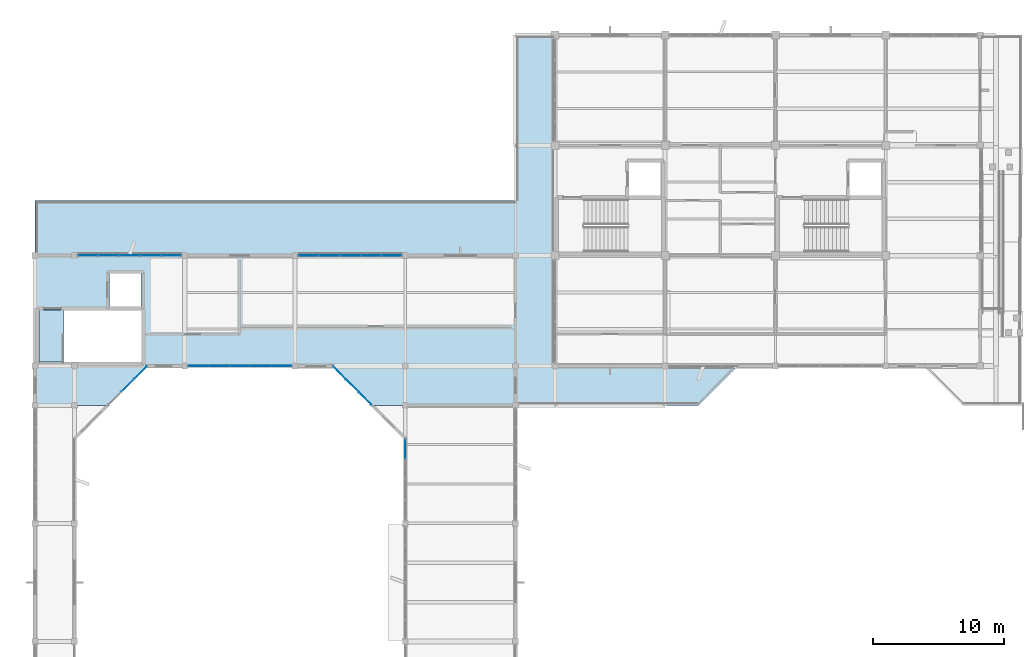
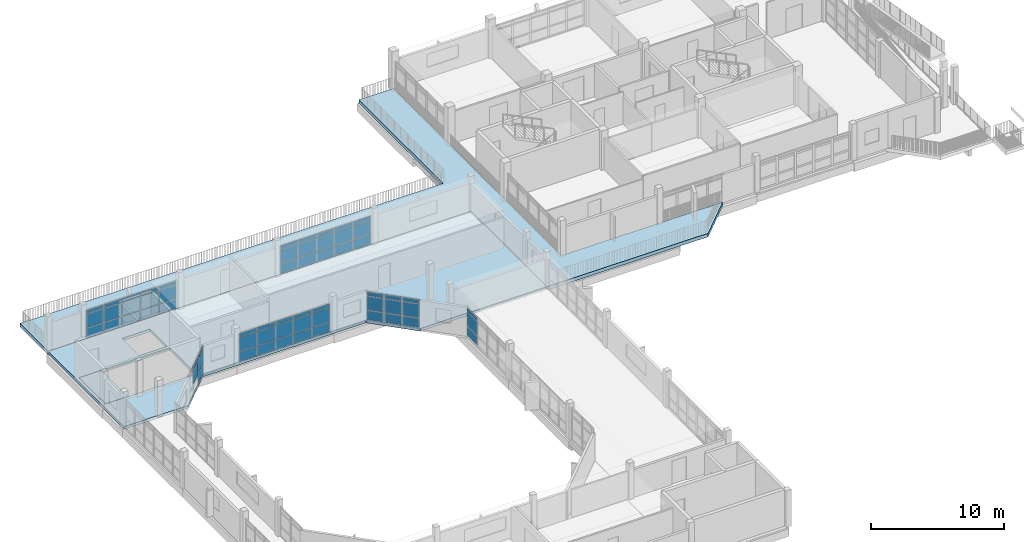
# One storey, part 17 of 33: 62 plates, 3 slabs, 6 elements without a shape of their own.
"""IFC4 building model written with IfcOpenShell, lengths in metres."""

from ifc_helpers import new_model, si_unit, direction, frame, origin, origin_2d, place, context, subcontext, project, spatial, polyline, rectangle, outline, extrude, material, layer, layer_set, type_object, element, aggregate, save


model = new_model("IFC4")

# Units and contexts
model_context = context("Model", 3, precision=1e-05, world=origin(), true_north=direction((0.0, 1.0)))
body_context = subcontext(model_context, "Body", "Model", "MODEL_VIEW")
ifc_project = project(units=[si_unit("LENGTHUNIT", "METRE"), si_unit("AREAUNIT", "SQUARE_METRE"), si_unit("VOLUMEUNIT", "CUBIC_METRE"), si_unit("PLANEANGLEUNIT", "RADIAN"), si_unit("MASSUNIT", "GRAM", prefix="KILO")], contexts=[model_context])

# Site, building, storey
site_placement = place(None, origin())
site = spatial("IfcSite", under=ifc_project, at=site_placement, CompositionType="ELEMENT")
building_placement = place(site_placement, origin())
building = spatial("IfcBuilding", under=site, at=building_placement, Name="Vanh Quang Courtyard School", CompositionType="ELEMENT")
storey_placement = place(building_placement, frame((0.0, 0.0, 18.60009765625)))
storey = spatial("IfcBuildingStorey", under=building, at=storey_placement, Name="L05", CompositionType="ELEMENT", Elevation=18.60009765625)

# Curtain wall, plates
ifc_material_1 = material(Name="Thermally broken aluminium unitised curtain wall", Category="aluminium")
curtain_wall_type_1 = type_object("IfcCurtainWallType", Name="CW-SYS-19", PredefinedType="NOTDEFINED", material=ifc_material_1)
curtain_wall_1_placement = place(storey_placement, origin())
curtain_wall_1 = element("IfcCurtainWall", 1, at=curtain_wall_1_placement, inside=storey, type_object=curtain_wall_type_1, Name="Curtain Wall CW-19 (L05)", PredefinedType="NOTDEFINED")
ifc_material_2 = material(Name="Low-E laminated double glazing", Category="glass")
ifc_layer_1 = layer(ifc_material_2, 0.028076171875)
ifc_layer_set_1 = layer_set([ifc_layer_1], Name="Low-E laminated double glazing")
plate_type_1 = type_object("IfcPlateType", Name="CW-PNL-28", PredefinedType="CURTAIN_PANEL", material=ifc_layer_set_1)
plate_1_placement = place(storey_placement, frame((41.846435546875, 79.800048828125, 0.079833984375), z_axis=(0.0, 0.0, 1.0), x_axis=(1.0, 0.0, 0.0)))
plate_1 = element("IfcPlate", 2, at=plate_1_placement, type_object=plate_type_1, Name="CW-19 panel 1.1", PredefinedType="CURTAIN_PANEL", context=body_context, shape_type="SweptSolid", body=[
    extrude(rectangle(XDim=1.466796875, YDim=0.028076171875, at=origin_2d()), origin(), (0.0, 0.0, 1.0), 0.830078125),
])
plate_2_placement = place(storey_placement, frame((41.846435546875, 79.800048828125, 0.98974609375), z_axis=(0.0, 0.0, 1.0), x_axis=(1.0, 0.0, 0.0)))
plate_2 = element("IfcPlate", 3, at=plate_2_placement, type_object=plate_type_1, Name="CW-19 panel 1.2", PredefinedType="CURTAIN_PANEL", context=body_context, shape_type="SweptSolid", body=[
    extrude(rectangle(XDim=1.466796875, YDim=0.028076171875, at=origin_2d()), origin(), (0.0, 0.0, 1.0), 1.219970703125),
])
plate_3_placement = place(storey_placement, frame((41.846435546875, 79.800048828125, 2.2900390625), z_axis=(0.0, 0.0, 1.0), x_axis=(1.0, 0.0, 0.0)))
plate_3 = element("IfcPlate", 4, at=plate_3_placement, type_object=plate_type_1, Name="CW-19 panel 1.3", PredefinedType="CURTAIN_PANEL", context=body_context, shape_type="SweptSolid", body=[
    extrude(rectangle(XDim=1.466796875, YDim=0.028076171875, at=origin_2d()), origin(), (0.0, 0.0, 1.0), 0.280029296875),
])
plate_4_placement = place(storey_placement, frame((43.4130859375, 79.800048828125, 0.079833984375), z_axis=(0.0, 0.0, 1.0), x_axis=(1.0, 0.0, 0.0)))
plate_4 = element("IfcPlate", 5, at=plate_4_placement, type_object=plate_type_1, Name="CW-19 panel 2.1", PredefinedType="CURTAIN_PANEL", context=body_context, shape_type="SweptSolid", body=[
    extrude(rectangle(XDim=1.5068359375, YDim=0.028076171875, at=origin_2d()), origin(), (0.0, 0.0, 1.0), 0.830078125),
])
plate_5_placement = place(storey_placement, frame((43.4130859375, 79.800048828125, 0.98974609375), z_axis=(0.0, 0.0, 1.0), x_axis=(1.0, 0.0, 0.0)))
plate_5 = element("IfcPlate", 6, at=plate_5_placement, type_object=plate_type_1, Name="CW-19 panel 2.2", PredefinedType="CURTAIN_PANEL", context=body_context, shape_type="SweptSolid", body=[
    extrude(rectangle(XDim=1.5068359375, YDim=0.028076171875, at=origin_2d()), origin(), (0.0, 0.0, 1.0), 1.219970703125),
])
plate_6_placement = place(storey_placement, frame((43.4130859375, 79.800048828125, 2.2900390625), z_axis=(0.0, 0.0, 1.0), x_axis=(1.0, 0.0, 0.0)))
plate_6 = element("IfcPlate", 7, at=plate_6_placement, type_object=plate_type_1, Name="CW-19 panel 2.3", PredefinedType="CURTAIN_PANEL", context=body_context, shape_type="SweptSolid", body=[
    extrude(rectangle(XDim=1.5068359375, YDim=0.028076171875, at=origin_2d()), origin(), (0.0, 0.0, 1.0), 0.280029296875),
])
plate_7_placement = place(storey_placement, frame((45.0, 79.800048828125, 0.079833984375), z_axis=(0.0, 0.0, 1.0), x_axis=(1.0, 0.0, 0.0)))
plate_7 = element("IfcPlate", 8, at=plate_7_placement, type_object=plate_type_1, Name="CW-19 panel 3.1", PredefinedType="CURTAIN_PANEL", context=body_context, shape_type="SweptSolid", body=[
    extrude(rectangle(XDim=1.5068359375, YDim=0.028076171875, at=origin_2d()), origin(), (0.0, 0.0, 1.0), 0.830078125),
])
plate_8_placement = place(storey_placement, frame((45.0, 79.800048828125, 0.98974609375), z_axis=(0.0, 0.0, 1.0), x_axis=(1.0, 0.0, 0.0)))
plate_8 = element("IfcPlate", 9, at=plate_8_placement, type_object=plate_type_1, Name="CW-19 panel 3.2", PredefinedType="CURTAIN_PANEL", context=body_context, shape_type="SweptSolid", body=[
    extrude(rectangle(XDim=1.5068359375, YDim=0.028076171875, at=origin_2d()), origin(), (0.0, 0.0, 1.0), 1.219970703125),
])
plate_9_placement = place(storey_placement, frame((45.0, 79.800048828125, 2.2900390625), z_axis=(0.0, 0.0, 1.0), x_axis=(1.0, 0.0, 0.0)))
plate_9 = element("IfcPlate", 10, at=plate_9_placement, type_object=plate_type_1, Name="CW-19 panel 3.3", PredefinedType="CURTAIN_PANEL", context=body_context, shape_type="SweptSolid", body=[
    extrude(rectangle(XDim=1.5068359375, YDim=0.028076171875, at=origin_2d()), origin(), (0.0, 0.0, 1.0), 0.280029296875),
])
plate_10_placement = place(storey_placement, frame((46.5869140625, 79.800048828125, 0.079833984375), z_axis=(0.0, 0.0, 1.0), x_axis=(1.0, 0.0, 0.0)))
plate_10 = element("IfcPlate", 11, at=plate_10_placement, type_object=plate_type_1, Name="CW-19 panel 4.1", PredefinedType="CURTAIN_PANEL", context=body_context, shape_type="SweptSolid", body=[
    extrude(rectangle(XDim=1.5068359375, YDim=0.028076171875, at=origin_2d()), origin(), (0.0, 0.0, 1.0), 0.830078125),
])
plate_11_placement = place(storey_placement, frame((46.5869140625, 79.800048828125, 0.98974609375), z_axis=(0.0, 0.0, 1.0), x_axis=(1.0, 0.0, 0.0)))
plate_11 = element("IfcPlate", 12, at=plate_11_placement, type_object=plate_type_1, Name="CW-19 panel 4.2", PredefinedType="CURTAIN_PANEL", context=body_context, shape_type="SweptSolid", body=[
    extrude(rectangle(XDim=1.5068359375, YDim=0.028076171875, at=origin_2d()), origin(), (0.0, 0.0, 1.0), 1.219970703125),
])
plate_12_placement = place(storey_placement, frame((46.5869140625, 79.800048828125, 2.2900390625), z_axis=(0.0, 0.0, 1.0), x_axis=(1.0, 0.0, 0.0)))
plate_12 = element("IfcPlate", 13, at=plate_12_placement, type_object=plate_type_1, Name="CW-19 panel 4.3", PredefinedType="CURTAIN_PANEL", context=body_context, shape_type="SweptSolid", body=[
    extrude(rectangle(XDim=1.5068359375, YDim=0.028076171875, at=origin_2d()), origin(), (0.0, 0.0, 1.0), 0.280029296875),
])
plate_13_placement = place(storey_placement, frame((48.153564453125, 79.800048828125, 0.079833984375), z_axis=(0.0, 0.0, 1.0), x_axis=(1.0, 0.0, 0.0)))
plate_13 = element("IfcPlate", 14, at=plate_13_placement, type_object=plate_type_1, Name="CW-19 panel 5.1", PredefinedType="CURTAIN_PANEL", context=body_context, shape_type="SweptSolid", body=[
    extrude(rectangle(XDim=1.466796875, YDim=0.028076171875, at=origin_2d()), origin(), (0.0, 0.0, 1.0), 0.830078125),
])
plate_14_placement = place(storey_placement, frame((48.153564453125, 79.800048828125, 0.98974609375), z_axis=(0.0, 0.0, 1.0), x_axis=(1.0, 0.0, 0.0)))
plate_14 = element("IfcPlate", 15, at=plate_14_placement, type_object=plate_type_1, Name="CW-19 panel 5.2", PredefinedType="CURTAIN_PANEL", context=body_context, shape_type="SweptSolid", body=[
    extrude(rectangle(XDim=1.466796875, YDim=0.028076171875, at=origin_2d()), origin(), (0.0, 0.0, 1.0), 1.219970703125),
])
plate_15_placement = place(storey_placement, frame((48.153564453125, 79.800048828125, 2.2900390625), z_axis=(0.0, 0.0, 1.0), x_axis=(1.0, 0.0, 0.0)))
plate_15 = element("IfcPlate", 16, at=plate_15_placement, type_object=plate_type_1, Name="CW-19 panel 5.3", PredefinedType="CURTAIN_PANEL", context=body_context, shape_type="SweptSolid", body=[
    extrude(rectangle(XDim=1.466796875, YDim=0.028076171875, at=origin_2d()), origin(), (0.0, 0.0, 1.0), 0.280029296875),
])
aggregate(curtain_wall_1, [plate_1, plate_2, plate_3, plate_4, plate_5, plate_6, plate_7, plate_8, plate_9, plate_10, plate_11, plate_12, plate_13, plate_14, plate_15])

curtain_wall_type_2 = type_object("IfcCurtainWallType", Name="CW-SYS-44", PredefinedType="NOTDEFINED", material=ifc_material_1)
curtain_wall_2_placement = place(storey_placement, origin())
curtain_wall_2 = element("IfcCurtainWall", 17, at=curtain_wall_2_placement, inside=storey, type_object=curtain_wall_type_2, Name="Curtain Wall CW-44 (L05)", PredefinedType="NOTDEFINED")
plate_16_placement = place(storey_placement, frame((66.0, 65.060546875, 0.06982421875), z_axis=(0.0, 0.0, 1.0), x_axis=(0.0, 1.0, 0.0)))
plate_16 = element("IfcPlate", 18, at=plate_16_placement, type_object=plate_type_1, Name="CW-44 panel 4.1", PredefinedType="CURTAIN_PANEL", context=body_context, shape_type="SweptSolid", body=[
    extrude(rectangle(XDim=1.45068359375, YDim=0.028076171875, at=origin_2d()), origin(), (0.0, 0.0, 1.0), 0.844970703125),
])
plate_17_placement = place(storey_placement, frame((66.0, 65.060546875, 0.98486328125), z_axis=(0.0, 0.0, 1.0), x_axis=(0.0, 1.0, 0.0)))
plate_17 = element("IfcPlate", 19, at=plate_17_placement, type_object=plate_type_1, Name="CW-44 panel 4.2", PredefinedType="CURTAIN_PANEL", context=body_context, shape_type="SweptSolid", body=[
    extrude(rectangle(XDim=1.45068359375, YDim=0.028076171875, at=origin_2d()), origin(), (0.0, 0.0, 1.0), 1.22998046875),
])
plate_18_placement = place(storey_placement, frame((66.0, 65.060546875, 2.284912109375), z_axis=(0.0, 0.0, 1.0), x_axis=(0.0, 1.0, 0.0)))
plate_18 = element("IfcPlate", 20, at=plate_18_placement, type_object=plate_type_1, Name="CW-44 panel 4.3", PredefinedType="CURTAIN_PANEL", context=body_context, shape_type="SweptSolid", body=[
    extrude(rectangle(XDim=1.45068359375, YDim=0.028076171875, at=origin_2d()), origin(), (0.0, 0.0, 1.0), 0.294921875),
])
aggregate(curtain_wall_2, [plate_16, plate_17, plate_18])

curtain_wall_3_placement = place(storey_placement, origin())
curtain_wall_3 = element("IfcCurtainWall", 21, at=curtain_wall_3_placement, inside=storey, type_object=curtain_wall_type_1, Name="Curtain Wall CW-19 (L05)", PredefinedType="NOTDEFINED")
plate_19_placement = place(storey_placement, frame((56.55859375, 71.39990234375, 0.06005859375), z_axis=(0.0, 0.0, 1.0), x_axis=(-1.0, 0.0, 0.0)))
plate_19 = element("IfcPlate", 22, at=plate_19_placement, type_object=plate_type_1, Name="CW-19 panel 1.1", PredefinedType="CURTAIN_PANEL", context=body_context, shape_type="SweptSolid", body=[
    extrude(rectangle(XDim=1.496826171875, YDim=0.028076171875, at=origin_2d()), origin(), (0.0, 0.0, 1.0), 0.860107421875),
])
plate_20_placement = place(storey_placement, frame((56.55859375, 71.39990234375, 0.97998046875), z_axis=(0.0, 0.0, 1.0), x_axis=(-1.0, 0.0, 0.0)))
plate_20 = element("IfcPlate", 23, at=plate_20_placement, type_object=plate_type_1, Name="CW-19 panel 1.2", PredefinedType="CURTAIN_PANEL", context=body_context, shape_type="SweptSolid", body=[
    extrude(rectangle(XDim=1.496826171875, YDim=0.028076171875, at=origin_2d()), origin(), (0.0, 0.0, 1.0), 1.239990234375),
])
plate_21_placement = place(storey_placement, frame((56.55859375, 71.39990234375, 2.27978515625), z_axis=(0.0, 0.0, 1.0), x_axis=(-1.0, 0.0, 0.0)))
plate_21 = element("IfcPlate", 24, at=plate_21_placement, type_object=plate_type_1, Name="CW-19 panel 1.3", PredefinedType="CURTAIN_PANEL", context=body_context, shape_type="SweptSolid", body=[
    extrude(rectangle(XDim=1.496826171875, YDim=0.028076171875, at=origin_2d()), origin(), (0.0, 0.0, 1.0), 0.31005859375),
])
plate_22_placement = place(storey_placement, frame((54.98681640625, 71.39990234375, 0.06005859375), z_axis=(0.0, 0.0, 1.0), x_axis=(-1.0, 0.0, 0.0)))
plate_22 = element("IfcPlate", 25, at=plate_22_placement, type_object=plate_type_1, Name="CW-19 panel 2.1", PredefinedType="CURTAIN_PANEL", context=body_context, shape_type="SweptSolid", body=[
    extrude(rectangle(XDim=1.52685546875, YDim=0.028076171875, at=origin_2d()), origin(), (0.0, 0.0, 1.0), 0.860107421875),
])
plate_23_placement = place(storey_placement, frame((54.98681640625, 71.39990234375, 0.97998046875), z_axis=(0.0, 0.0, 1.0), x_axis=(-1.0, 0.0, 0.0)))
plate_23 = element("IfcPlate", 26, at=plate_23_placement, type_object=plate_type_1, Name="CW-19 panel 2.2", PredefinedType="CURTAIN_PANEL", context=body_context, shape_type="SweptSolid", body=[
    extrude(rectangle(XDim=1.52685546875, YDim=0.028076171875, at=origin_2d()), origin(), (0.0, 0.0, 1.0), 1.239990234375),
])
plate_24_placement = place(storey_placement, frame((54.98681640625, 71.39990234375, 2.27978515625), z_axis=(0.0, 0.0, 1.0), x_axis=(-1.0, 0.0, 0.0)))
plate_24 = element("IfcPlate", 27, at=plate_24_placement, type_object=plate_type_1, Name="CW-19 panel 2.3", PredefinedType="CURTAIN_PANEL", context=body_context, shape_type="SweptSolid", body=[
    extrude(rectangle(XDim=1.52685546875, YDim=0.028076171875, at=origin_2d()), origin(), (0.0, 0.0, 1.0), 0.31005859375),
])
plate_25_placement = place(storey_placement, frame((53.39990234375, 71.39990234375, 0.06005859375), z_axis=(0.0, 0.0, 1.0), x_axis=(-1.0, 0.0, 0.0)))
plate_25 = element("IfcPlate", 28, at=plate_25_placement, type_object=plate_type_1, Name="CW-19 panel 3.1", PredefinedType="CURTAIN_PANEL", context=body_context, shape_type="SweptSolid", body=[
    extrude(rectangle(XDim=1.52685546875, YDim=0.028076171875, at=origin_2d()), origin(), (0.0, 0.0, 1.0), 0.860107421875),
])
plate_26_placement = place(storey_placement, frame((53.39990234375, 71.39990234375, 0.97998046875), z_axis=(0.0, 0.0, 1.0), x_axis=(-1.0, 0.0, 0.0)))
plate_26 = element("IfcPlate", 29, at=plate_26_placement, type_object=plate_type_1, Name="CW-19 panel 3.2", PredefinedType="CURTAIN_PANEL", context=body_context, shape_type="SweptSolid", body=[
    extrude(rectangle(XDim=1.52685546875, YDim=0.028076171875, at=origin_2d()), origin(), (0.0, 0.0, 1.0), 1.239990234375),
])
plate_27_placement = place(storey_placement, frame((53.39990234375, 71.39990234375, 2.27978515625), z_axis=(0.0, 0.0, 1.0), x_axis=(-1.0, 0.0, 0.0)))
plate_27 = element("IfcPlate", 30, at=plate_27_placement, type_object=plate_type_1, Name="CW-19 panel 3.3", PredefinedType="CURTAIN_PANEL", context=body_context, shape_type="SweptSolid", body=[
    extrude(rectangle(XDim=1.52685546875, YDim=0.028076171875, at=origin_2d()), origin(), (0.0, 0.0, 1.0), 0.31005859375),
])
plate_28_placement = place(storey_placement, frame((51.813232421875, 71.39990234375, 0.06005859375), z_axis=(0.0, 0.0, 1.0), x_axis=(-1.0, 0.0, 0.0)))
plate_28 = element("IfcPlate", 31, at=plate_28_placement, type_object=plate_type_1, Name="CW-19 panel 4.1", PredefinedType="CURTAIN_PANEL", context=body_context, shape_type="SweptSolid", body=[
    extrude(rectangle(XDim=1.52685546875, YDim=0.028076171875, at=origin_2d()), origin(), (0.0, 0.0, 1.0), 0.860107421875),
])
plate_29_placement = place(storey_placement, frame((51.813232421875, 71.39990234375, 0.97998046875), z_axis=(0.0, 0.0, 1.0), x_axis=(-1.0, 0.0, 0.0)))
plate_29 = element("IfcPlate", 32, at=plate_29_placement, type_object=plate_type_1, Name="CW-19 panel 4.2", PredefinedType="CURTAIN_PANEL", context=body_context, shape_type="SweptSolid", body=[
    extrude(rectangle(XDim=1.52685546875, YDim=0.028076171875, at=origin_2d()), origin(), (0.0, 0.0, 1.0), 1.239990234375),
])
plate_30_placement = place(storey_placement, frame((51.813232421875, 71.39990234375, 2.27978515625), z_axis=(0.0, 0.0, 1.0), x_axis=(-1.0, 0.0, 0.0)))
plate_30 = element("IfcPlate", 33, at=plate_30_placement, type_object=plate_type_1, Name="CW-19 panel 4.3", PredefinedType="CURTAIN_PANEL", context=body_context, shape_type="SweptSolid", body=[
    extrude(rectangle(XDim=1.52685546875, YDim=0.028076171875, at=origin_2d()), origin(), (0.0, 0.0, 1.0), 0.31005859375),
])
plate_31_placement = place(storey_placement, frame((50.241455078125, 71.39990234375, 0.06005859375), z_axis=(0.0, 0.0, 1.0), x_axis=(-1.0, 0.0, 0.0)))
plate_31 = element("IfcPlate", 34, at=plate_31_placement, type_object=plate_type_1, Name="CW-19 panel 5.1", PredefinedType="CURTAIN_PANEL", context=body_context, shape_type="SweptSolid", body=[
    extrude(rectangle(XDim=1.496826171875, YDim=0.028076171875, at=origin_2d()), origin(), (0.0, 0.0, 1.0), 0.860107421875),
])
plate_32_placement = place(storey_placement, frame((50.241455078125, 71.39990234375, 0.97998046875), z_axis=(0.0, 0.0, 1.0), x_axis=(-1.0, 0.0, 0.0)))
plate_32 = element("IfcPlate", 35, at=plate_32_placement, type_object=plate_type_1, Name="CW-19 panel 5.2", PredefinedType="CURTAIN_PANEL", context=body_context, shape_type="SweptSolid", body=[
    extrude(rectangle(XDim=1.496826171875, YDim=0.028076171875, at=origin_2d()), origin(), (0.0, 0.0, 1.0), 1.239990234375),
])
plate_33_placement = place(storey_placement, frame((50.241455078125, 71.39990234375, 2.27978515625), z_axis=(0.0, 0.0, 1.0), x_axis=(-1.0, 0.0, 0.0)))
plate_33 = element("IfcPlate", 36, at=plate_33_placement, type_object=plate_type_1, Name="CW-19 panel 5.3", PredefinedType="CURTAIN_PANEL", context=body_context, shape_type="SweptSolid", body=[
    extrude(rectangle(XDim=1.496826171875, YDim=0.028076171875, at=origin_2d()), origin(), (0.0, 0.0, 1.0), 0.31005859375),
])
aggregate(curtain_wall_3, [plate_19, plate_20, plate_21, plate_22, plate_23, plate_24, plate_25, plate_26, plate_27, plate_28, plate_29, plate_30, plate_31, plate_32, plate_33])

curtain_wall_4_placement = place(storey_placement, origin())
curtain_wall_4 = element("IfcCurtainWall", 37, at=curtain_wall_4_placement, inside=storey, type_object=curtain_wall_type_1, Name="Curtain Wall CW-19 (L05)", PredefinedType="NOTDEFINED")
ifc_layer_2 = layer(ifc_material_2, 0.031982421875)
ifc_layer_set_2 = layer_set([ifc_layer_2], Name="Low-E laminated double glazing")
plate_type_2 = type_object("IfcPlateType", Name="CW-PNL-32", PredefinedType="CURTAIN_PANEL", material=ifc_layer_set_2)
plate_34_placement = place(storey_placement, frame((58.641357421875, 79.800048828125, 0.06005859375), z_axis=(0.0, 0.0, 1.0), x_axis=(1.0, 0.0, 0.0)))
plate_34 = element("IfcPlate", 38, at=plate_34_placement, type_object=plate_type_2, Name="CW-19 panel 1.1", PredefinedType="CURTAIN_PANEL", context=body_context, shape_type="SweptSolid", body=[
    extrude(rectangle(XDim=1.496826171875, YDim=0.031982421875, at=origin_2d()), origin(), (0.0, 0.0, 1.0), 0.860107421875),
])
plate_35_placement = place(storey_placement, frame((58.641357421875, 79.800048828125, 0.97998046875), z_axis=(0.0, 0.0, 1.0), x_axis=(1.0, 0.0, 0.0)))
plate_35 = element("IfcPlate", 39, at=plate_35_placement, type_object=plate_type_2, Name="CW-19 panel 1.2", PredefinedType="CURTAIN_PANEL", context=body_context, shape_type="SweptSolid", body=[
    extrude(rectangle(XDim=1.496826171875, YDim=0.031982421875, at=origin_2d()), origin(), (0.0, 0.0, 1.0), 1.239990234375),
])
plate_36_placement = place(storey_placement, frame((58.641357421875, 79.800048828125, 2.27978515625), z_axis=(0.0, 0.0, 1.0), x_axis=(1.0, 0.0, 0.0)))
plate_36 = element("IfcPlate", 40, at=plate_36_placement, type_object=plate_type_2, Name="CW-19 panel 1.3", PredefinedType="CURTAIN_PANEL", context=body_context, shape_type="SweptSolid", body=[
    extrude(rectangle(XDim=1.496826171875, YDim=0.031982421875, at=origin_2d()), origin(), (0.0, 0.0, 1.0), 0.31005859375),
])
plate_37_placement = place(storey_placement, frame((60.213134765625, 79.800048828125, 0.06005859375), z_axis=(0.0, 0.0, 1.0), x_axis=(1.0, 0.0, 0.0)))
plate_37 = element("IfcPlate", 41, at=plate_37_placement, type_object=plate_type_2, Name="CW-19 panel 2.1", PredefinedType="CURTAIN_PANEL", context=body_context, shape_type="SweptSolid", body=[
    extrude(rectangle(XDim=1.52685546875, YDim=0.031982421875, at=origin_2d()), origin(), (0.0, 0.0, 1.0), 0.860107421875),
])
plate_38_placement = place(storey_placement, frame((60.213134765625, 79.800048828125, 0.97998046875), z_axis=(0.0, 0.0, 1.0), x_axis=(1.0, 0.0, 0.0)))
plate_38 = element("IfcPlate", 42, at=plate_38_placement, type_object=plate_type_2, Name="CW-19 panel 2.2", PredefinedType="CURTAIN_PANEL", context=body_context, shape_type="SweptSolid", body=[
    extrude(rectangle(XDim=1.52685546875, YDim=0.031982421875, at=origin_2d()), origin(), (0.0, 0.0, 1.0), 1.239990234375),
])
plate_39_placement = place(storey_placement, frame((60.213134765625, 79.800048828125, 2.27978515625), z_axis=(0.0, 0.0, 1.0), x_axis=(1.0, 0.0, 0.0)))
plate_39 = element("IfcPlate", 43, at=plate_39_placement, type_object=plate_type_2, Name="CW-19 panel 2.3", PredefinedType="CURTAIN_PANEL", context=body_context, shape_type="SweptSolid", body=[
    extrude(rectangle(XDim=1.52685546875, YDim=0.031982421875, at=origin_2d()), origin(), (0.0, 0.0, 1.0), 0.31005859375),
])
plate_40_placement = place(storey_placement, frame((61.800048828125, 79.800048828125, 0.06005859375), z_axis=(0.0, 0.0, 1.0), x_axis=(1.0, 0.0, 0.0)))
plate_40 = element("IfcPlate", 44, at=plate_40_placement, type_object=plate_type_2, Name="CW-19 panel 3.1", PredefinedType="CURTAIN_PANEL", context=body_context, shape_type="SweptSolid", body=[
    extrude(rectangle(XDim=1.52685546875, YDim=0.031982421875, at=origin_2d()), origin(), (0.0, 0.0, 1.0), 0.860107421875),
])
plate_41_placement = place(storey_placement, frame((61.800048828125, 79.800048828125, 0.97998046875), z_axis=(0.0, 0.0, 1.0), x_axis=(1.0, 0.0, 0.0)))
plate_41 = element("IfcPlate", 45, at=plate_41_placement, type_object=plate_type_2, Name="CW-19 panel 3.2", PredefinedType="CURTAIN_PANEL", context=body_context, shape_type="SweptSolid", body=[
    extrude(rectangle(XDim=1.52685546875, YDim=0.031982421875, at=origin_2d()), origin(), (0.0, 0.0, 1.0), 1.239990234375),
])
plate_42_placement = place(storey_placement, frame((61.800048828125, 79.800048828125, 2.27978515625), z_axis=(0.0, 0.0, 1.0), x_axis=(1.0, 0.0, 0.0)))
plate_42 = element("IfcPlate", 46, at=plate_42_placement, type_object=plate_type_2, Name="CW-19 panel 3.3", PredefinedType="CURTAIN_PANEL", context=body_context, shape_type="SweptSolid", body=[
    extrude(rectangle(XDim=1.52685546875, YDim=0.031982421875, at=origin_2d()), origin(), (0.0, 0.0, 1.0), 0.31005859375),
])
plate_43_placement = place(storey_placement, frame((63.38671875, 79.800048828125, 0.06005859375), z_axis=(0.0, 0.0, 1.0), x_axis=(1.0, 0.0, 0.0)))
plate_43 = element("IfcPlate", 47, at=plate_43_placement, type_object=plate_type_2, Name="CW-19 panel 4.1", PredefinedType="CURTAIN_PANEL", context=body_context, shape_type="SweptSolid", body=[
    extrude(rectangle(XDim=1.52685546875, YDim=0.031982421875, at=origin_2d()), origin(), (0.0, 0.0, 1.0), 0.860107421875),
])
plate_44_placement = place(storey_placement, frame((63.38671875, 79.800048828125, 0.97998046875), z_axis=(0.0, 0.0, 1.0), x_axis=(1.0, 0.0, 0.0)))
plate_44 = element("IfcPlate", 48, at=plate_44_placement, type_object=plate_type_2, Name="CW-19 panel 4.2", PredefinedType="CURTAIN_PANEL", context=body_context, shape_type="SweptSolid", body=[
    extrude(rectangle(XDim=1.52685546875, YDim=0.031982421875, at=origin_2d()), origin(), (0.0, 0.0, 1.0), 1.239990234375),
])
plate_45_placement = place(storey_placement, frame((63.38671875, 79.800048828125, 2.27978515625), z_axis=(0.0, 0.0, 1.0), x_axis=(1.0, 0.0, 0.0)))
plate_45 = element("IfcPlate", 49, at=plate_45_placement, type_object=plate_type_2, Name="CW-19 panel 4.3", PredefinedType="CURTAIN_PANEL", context=body_context, shape_type="SweptSolid", body=[
    extrude(rectangle(XDim=1.52685546875, YDim=0.031982421875, at=origin_2d()), origin(), (0.0, 0.0, 1.0), 0.31005859375),
])
plate_46_placement = place(storey_placement, frame((64.95849609375, 79.800048828125, 0.06005859375), z_axis=(0.0, 0.0, 1.0), x_axis=(1.0, 0.0, 0.0)))
plate_46 = element("IfcPlate", 50, at=plate_46_placement, type_object=plate_type_2, Name="CW-19 panel 5.1", PredefinedType="CURTAIN_PANEL", context=body_context, shape_type="SweptSolid", body=[
    extrude(rectangle(XDim=1.496826171875, YDim=0.031982421875, at=origin_2d()), origin(), (0.0, 0.0, 1.0), 0.860107421875),
])
plate_47_placement = place(storey_placement, frame((64.95849609375, 79.800048828125, 0.97998046875), z_axis=(0.0, 0.0, 1.0), x_axis=(1.0, 0.0, 0.0)))
plate_47 = element("IfcPlate", 51, at=plate_47_placement, type_object=plate_type_2, Name="CW-19 panel 5.2", PredefinedType="CURTAIN_PANEL", context=body_context, shape_type="SweptSolid", body=[
    extrude(rectangle(XDim=1.496826171875, YDim=0.031982421875, at=origin_2d()), origin(), (0.0, 0.0, 1.0), 1.239990234375),
])
plate_48_placement = place(storey_placement, frame((64.95849609375, 79.800048828125, 2.27978515625), z_axis=(0.0, 0.0, 1.0), x_axis=(1.0, 0.0, 0.0)))
plate_48 = element("IfcPlate", 52, at=plate_48_placement, type_object=plate_type_2, Name="CW-19 panel 5.3", PredefinedType="CURTAIN_PANEL", context=body_context, shape_type="SweptSolid", body=[
    extrude(rectangle(XDim=1.496826171875, YDim=0.031982421875, at=origin_2d()), origin(), (0.0, 0.0, 1.0), 0.31005859375),
])
aggregate(curtain_wall_4, [plate_34, plate_35, plate_36, plate_37, plate_38, plate_39, plate_40, plate_41, plate_42, plate_43, plate_44, plate_45, plate_46, plate_47, plate_48])

curtain_wall_type_3 = type_object("IfcCurtainWallType", Name="CW-SYS-66", PredefinedType="NOTDEFINED", material=ifc_material_1)
curtain_wall_5_placement = place(storey_placement, origin())
curtain_wall_5 = element("IfcCurtainWall", 53, at=curtain_wall_5_placement, inside=storey, type_object=curtain_wall_type_3, Name="Curtain Wall CW-66 (L05)", PredefinedType="NOTDEFINED")
plate_49_placement = place(storey_placement, frame((62.94189453125, 68.9140625, 0.079833984375), z_axis=(0.0, 0.0, 1.0), x_axis=(-0.707106781187, 0.707106781187, 0.0)))
plate_49 = element("IfcPlate", 54, at=plate_49_placement, type_object=plate_type_2, Name="CW-66 panel 1.1", PredefinedType="CURTAIN_PANEL", context=body_context, shape_type="SweptSolid", body=[
    extrude(rectangle(XDim=1.294189453125, YDim=0.031982421875, at=origin_2d()), origin(), (0.0, 0.0, 1.0), 0.830078125),
])
plate_50_placement = place(storey_placement, frame((62.94189453125, 68.9140625, 0.98974609375), z_axis=(0.0, 0.0, 1.0), x_axis=(-0.707106781187, 0.707106781187, 0.0)))
plate_50 = element("IfcPlate", 55, at=plate_50_placement, type_object=plate_type_2, Name="CW-66 panel 1.2", PredefinedType="CURTAIN_PANEL", context=body_context, shape_type="SweptSolid", body=[
    extrude(rectangle(XDim=1.294189453125, YDim=0.031982421875, at=origin_2d()), origin(), (0.0, 0.0, 1.0), 1.219970703125),
])
plate_51_placement = place(storey_placement, frame((62.94189453125, 68.9140625, 2.289794921875), z_axis=(0.0, 0.0, 1.0), x_axis=(-0.707106781187, 0.707106781187, 0.0)))
plate_51 = element("IfcPlate", 56, at=plate_51_placement, type_object=plate_type_2, Name="CW-66 panel 1.3", PredefinedType="CURTAIN_PANEL", context=body_context, shape_type="SweptSolid", body=[
    extrude(rectangle(XDim=1.294189453125, YDim=0.031982421875, at=origin_2d()), origin(), (0.0, 0.0, 1.0), 0.330078125),
])
plate_52_placement = place(storey_placement, frame((61.9560546875, 69.89990234375, 0.079833984375), z_axis=(0.0, 0.0, 1.0), x_axis=(-0.707106781187, 0.707106781187, 0.0)))
plate_52 = element("IfcPlate", 57, at=plate_52_placement, type_object=plate_type_2, Name="CW-66 panel 2.1", PredefinedType="CURTAIN_PANEL", context=body_context, shape_type="SweptSolid", body=[
    extrude(rectangle(XDim=1.334228515625, YDim=0.031982421875, at=origin_2d()), origin(), (0.0, 0.0, 1.0), 0.830078125),
])
plate_53_placement = place(storey_placement, frame((61.9560546875, 69.89990234375, 0.98974609375), z_axis=(0.0, 0.0, 1.0), x_axis=(-0.707106781187, 0.707106781187, 0.0)))
plate_53 = element("IfcPlate", 58, at=plate_53_placement, type_object=plate_type_2, Name="CW-66 panel 2.2", PredefinedType="CURTAIN_PANEL", context=body_context, shape_type="SweptSolid", body=[
    extrude(rectangle(XDim=1.334228515625, YDim=0.031982421875, at=origin_2d()), origin(), (0.0, 0.0, 1.0), 1.219970703125),
])
plate_54_placement = place(storey_placement, frame((61.9560546875, 69.89990234375, 2.289794921875), z_axis=(0.0, 0.0, 1.0), x_axis=(-0.707106781187, 0.707106781187, 0.0)))
plate_54 = element("IfcPlate", 59, at=plate_54_placement, type_object=plate_type_2, Name="CW-66 panel 2.3", PredefinedType="CURTAIN_PANEL", context=body_context, shape_type="SweptSolid", body=[
    extrude(rectangle(XDim=1.334228515625, YDim=0.031982421875, at=origin_2d()), origin(), (0.0, 0.0, 1.0), 0.330078125),
])
plate_55_placement = place(storey_placement, frame((60.97021484375, 70.8857421875, 0.079833984375), z_axis=(0.0, 0.0, 1.0), x_axis=(-0.707106781187, 0.707106781187, 0.0)))
plate_55 = element("IfcPlate", 60, at=plate_55_placement, type_object=plate_type_2, Name="CW-66 panel 3.1", PredefinedType="CURTAIN_PANEL", context=body_context, shape_type="SweptSolid", body=[
    extrude(rectangle(XDim=1.294189453125, YDim=0.031982421875, at=origin_2d()), origin(), (0.0, 0.0, 1.0), 0.830078125),
])
plate_56_placement = place(storey_placement, frame((60.97021484375, 70.8857421875, 0.98974609375), z_axis=(0.0, 0.0, 1.0), x_axis=(-0.707106781187, 0.707106781187, 0.0)))
plate_56 = element("IfcPlate", 61, at=plate_56_placement, type_object=plate_type_2, Name="CW-66 panel 3.2", PredefinedType="CURTAIN_PANEL", context=body_context, shape_type="SweptSolid", body=[
    extrude(rectangle(XDim=1.294189453125, YDim=0.031982421875, at=origin_2d()), origin(), (0.0, 0.0, 1.0), 1.219970703125),
])
plate_57_placement = place(storey_placement, frame((60.97021484375, 70.8857421875, 2.289794921875), z_axis=(0.0, 0.0, 1.0), x_axis=(-0.707106781187, 0.707106781187, 0.0)))
plate_57 = element("IfcPlate", 62, at=plate_57_placement, type_object=plate_type_2, Name="CW-66 panel 3.3", PredefinedType="CURTAIN_PANEL", context=body_context, shape_type="SweptSolid", body=[
    extrude(rectangle(XDim=1.294189453125, YDim=0.031982421875, at=origin_2d()), origin(), (0.0, 0.0, 1.0), 0.330078125),
])
aggregate(curtain_wall_5, [plate_49, plate_50, plate_51, plate_52, plate_53, plate_54, plate_55, plate_56, plate_57])

curtain_wall_type_4 = type_object("IfcCurtainWallType", Name="CW-SYS-39", PredefinedType="NOTDEFINED", material=ifc_material_1)
curtain_wall_6_placement = place(storey_placement, origin())
curtain_wall_6 = element("IfcCurtainWall", 63, at=curtain_wall_6_placement, inside=storey, type_object=curtain_wall_type_4, Name="Curtain Wall CW-39 (L05)", PredefinedType="NOTDEFINED")
plate_58_placement = place(storey_placement, frame((45.83154296875, 70.8876953125, 0.06982421875), z_axis=(0.0, 0.0, 1.0), x_axis=(-0.707106781187, -0.707106781187, 0.0)))
plate_58 = element("IfcPlate", 64, at=plate_58_placement, type_object=plate_type_2, Name="CW-39 panel 1.1", PredefinedType="CURTAIN_PANEL", context=body_context, shape_type="SweptSolid", body=[
    extrude(rectangle(XDim=1.309326171875, YDim=0.031982421875, at=origin_2d()), origin(), (0.0, 0.0, 1.0), 0.844970703125),
])
plate_59_placement = place(storey_placement, frame((45.83154296875, 70.8876953125, 0.98486328125), z_axis=(0.0, 0.0, 1.0), x_axis=(-0.707106781187, -0.707106781187, 0.0)))
plate_59 = element("IfcPlate", 65, at=plate_59_placement, type_object=plate_type_2, Name="CW-39 panel 1.2", PredefinedType="CURTAIN_PANEL", context=body_context, shape_type="SweptSolid", body=[
    extrude(rectangle(XDim=1.309326171875, YDim=0.031982421875, at=origin_2d()), origin(), (0.0, 0.0, 1.0), 1.22998046875),
])
plate_60_placement = place(storey_placement, frame((45.83154296875, 70.8876953125, 2.284912109375), z_axis=(0.0, 0.0, 1.0), x_axis=(-0.707106781187, -0.707106781187, 0.0)))
plate_60 = element("IfcPlate", 66, at=plate_60_placement, type_object=plate_type_2, Name="CW-39 panel 1.3", PredefinedType="CURTAIN_PANEL", context=body_context, shape_type="SweptSolid", body=[
    extrude(rectangle(XDim=1.309326171875, YDim=0.031982421875, at=origin_2d()), origin(), (0.0, 0.0, 1.0), 0.294921875),
])
plate_61_placement = place(storey_placement, frame((44.843994140625, 69.89990234375, 0.98486328125), z_axis=(0.0, 0.0, 1.0), x_axis=(-0.707106781187, -0.707106781187, 0.0)))
plate_61 = element("IfcPlate", 67, at=plate_61_placement, type_object=plate_type_2, Name="CW-39 panel 2.2", PredefinedType="CURTAIN_PANEL", context=body_context, shape_type="SweptSolid", body=[
    extrude(rectangle(XDim=1.34423828125, YDim=0.031982421875, at=origin_2d()), origin(), (0.0, 0.0, 1.0), 1.22998046875),
])
plate_62_placement = place(storey_placement, frame((44.843994140625, 69.89990234375, 2.284912109375), z_axis=(0.0, 0.0, 1.0), x_axis=(-0.707106781187, -0.707106781187, 0.0)))
plate_62 = element("IfcPlate", 68, at=plate_62_placement, type_object=plate_type_2, Name="CW-39 panel 2.3", PredefinedType="CURTAIN_PANEL", context=body_context, shape_type="SweptSolid", body=[
    extrude(rectangle(XDim=1.34423828125, YDim=0.031982421875, at=origin_2d()), origin(), (0.0, 0.0, 1.0), 0.294921875),
])
aggregate(curtain_wall_6, [plate_58, plate_59, plate_60, plate_61, plate_62])

# Slabs
ifc_material_3 = material(Name="Concrete C30/37", Category="concrete")
ifc_layer_3 = layer(ifc_material_3, 0.25)
ifc_layer_set_3 = layer_set([ifc_layer_3], Name="Concrete C30/37")
slab_type_1 = type_object("IfcSlabType", Name="SLB-FLR-250", PredefinedType="FLOOR", material=ifc_layer_set_3)
slab_1_placement = place(storey_placement, frame((0.0, 0.0, -0.25)))
element("IfcSlab", 69, at=slab_1_placement, inside=storey, type_object=slab_type_1, Name="Slab SF-04 (L05)", PredefinedType="FLOOR", context=body_context, shape_type="SweptSolid", body=[
    extrude(outline(polyline([(43.343994140625, 68.39990234375), (46.343994140625, 71.39990234375), (60.4560546875, 71.39990234375), (63.4560546875, 68.39990234375), (74.39990234375, 68.39990234375), (74.39990234375, 79.800048828125), (37.800048828125, 79.800048828125), (37.800048828125, 68.39990234375), (43.343994140625, 68.39990234375)]), holes=[polyline([(45.919921875, 71.679931640625), (38.080078125, 71.679931640625), (38.080078125, 75.639892578125), (45.919921875, 75.639892578125), (45.919921875, 71.679931640625)]), polyline([(45.85009765625, 75.919921875), (43.449951171875, 75.919921875), (43.449951171875, 78.469970703125), (45.85009765625, 78.469970703125), (45.85009765625, 75.919921875)])]), origin(), (0.0, 0.0, 1.0), 0.25),
])
ifc_layer_4 = layer(ifc_material_3, 0.280029296875)
ifc_layer_set_4 = layer_set([ifc_layer_4], Name="Concrete C30/37")
slab_type_2 = type_object("IfcSlabType", Name="SLB-FLR-280", PredefinedType="FLOOR", material=ifc_layer_set_4)
slab_2_placement = place(storey_placement, frame((0.0, 0.0, -0.280029296875)))
element("IfcSlab", 70, at=slab_2_placement, inside=storey, type_object=slab_type_2, Name="Slab SF-02 (L05)", PredefinedType="FLOOR", context=body_context, shape_type="SweptSolid", body=[
    extrude(outline(polyline([(40.010009765625, 71.679931640625), (38.080078125, 71.679931640625), (38.080078125, 75.639892578125), (40.010009765625, 75.639892578125), (40.010009765625, 71.679931640625)])), origin(), (0.0, 0.0, 1.0), 0.280029296875),
])
ifc_material_4 = material(Name="Concrete C35/45", Category="concrete")
ifc_layer_5 = layer(ifc_material_4, 0.320068359375)
ifc_layer_set_5 = layer_set([ifc_layer_5], Name="Concrete C35/45")
slab_type_3 = type_object("IfcSlabType", Name="SLB-PDK-320", PredefinedType="FLOOR", material=ifc_layer_set_5)
slab_3_placement = place(storey_placement, frame((0.0, 0.0, -0.320068359375)))
element("IfcSlab", 71, at=slab_3_placement, inside=storey, type_object=slab_type_3, Name="Slab SP-01 (L05)", PredefinedType="FLOOR", context=body_context, shape_type="SweptSolid", body=[
    extrude(outline(polyline([(74.39990234375, 79.800048828125), (74.39990234375, 68.39990234375), (88.343994140625, 68.39990234375), (91.343994140625, 71.39990234375), (77.39990234375, 71.39990234375), (77.39990234375, 96.60009765625), (74.39990234375, 96.60009765625), (74.39990234375, 84.0), (37.800048828125, 84.0), (37.800048828125, 79.800048828125), (74.39990234375, 79.800048828125)])), origin(), (0.0, 0.0, 1.0), 0.320068359375),
])

save(model, "model.ifc")
